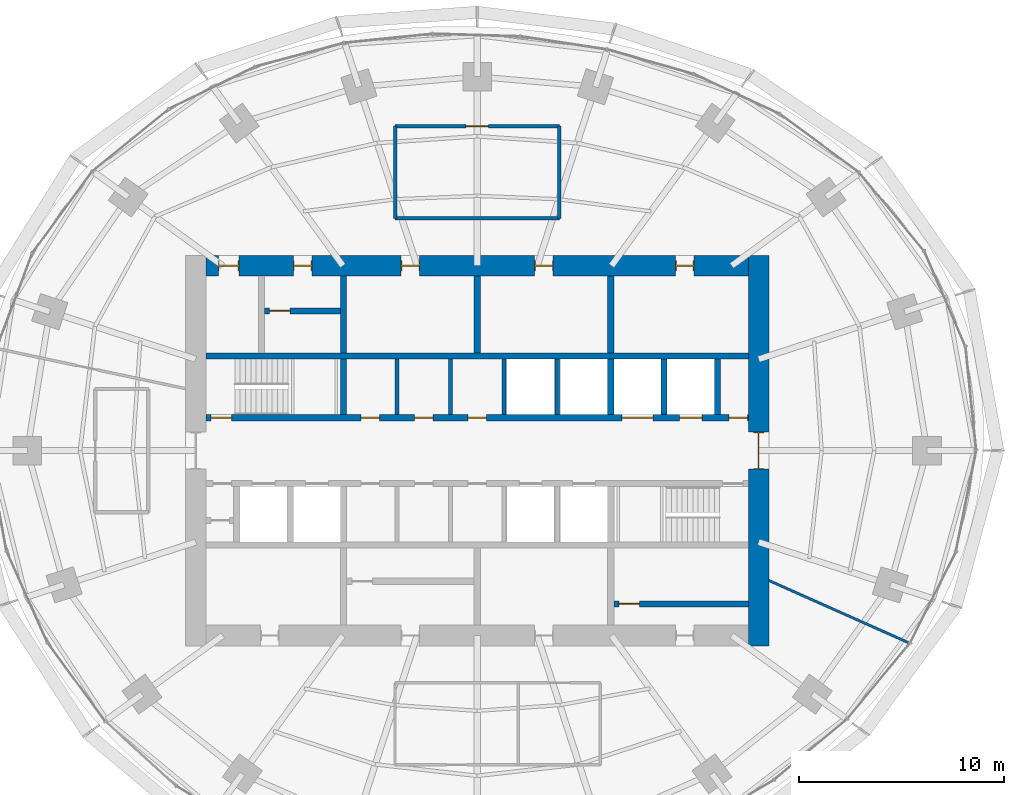
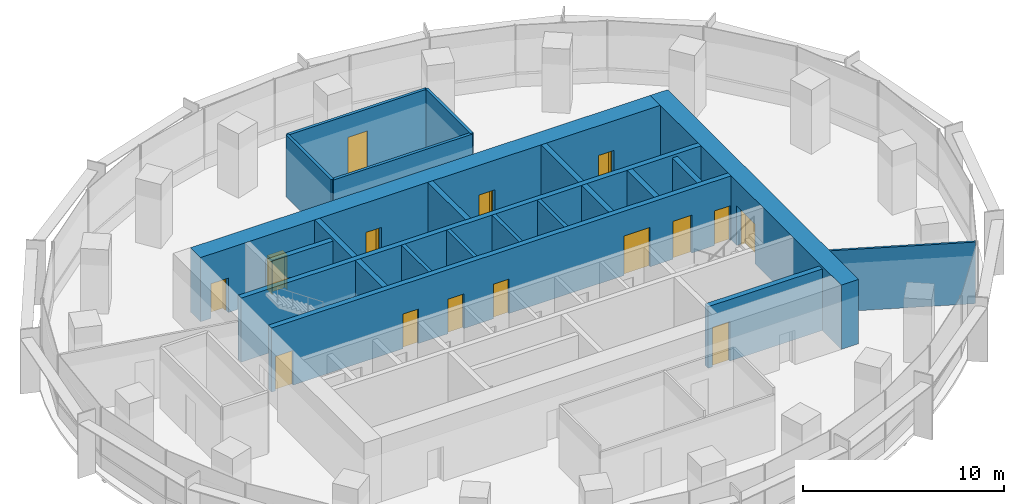
# One storey, part 11 of 14: 22 walls, 16 doors, 16 openings.
"""IFC4 building model written with IfcOpenShell, lengths in metres."""

from ifc_helpers import new_model, si_unit, direction, frame, frame_2d, origin, place, context, subcontext, project, spatial, rectangle, extrude, material, layer, layer_set, type_object, element, fill, save


model = new_model("IFC4")

# Units and contexts
model_context = context("Model", 3, precision=1e-05, world=origin(), true_north=direction((0.0, 1.0)))
body_context = subcontext(model_context, "Body", "Model", "MODEL_VIEW")
ifc_project = project(units=[si_unit("LENGTHUNIT", "METRE"), si_unit("AREAUNIT", "SQUARE_METRE"), si_unit("VOLUMEUNIT", "CUBIC_METRE"), si_unit("PLANEANGLEUNIT", "RADIAN"), si_unit("MASSUNIT", "GRAM", prefix="KILO")], contexts=[model_context])

# Site, building, storey
site_placement = place(None, origin())
site = spatial("IfcSite", under=ifc_project, at=site_placement, CompositionType="ELEMENT")
building_placement = place(site_placement, origin())
building = spatial("IfcBuilding", under=site, at=building_placement, Name="Marramba Exchange Tower", CompositionType="ELEMENT")
storey_placement = place(building_placement, frame((0.0, 0.0, 218.89990234375)))
storey = spatial("IfcBuildingStorey", under=building, at=storey_placement, Name="L53", CompositionType="ELEMENT", Elevation=218.89990234375)

# Wall
ifc_material_1 = material(Name="Plasterboard on staggered double steel studs, acoustic insulation", Category="steel")
ifc_layer_1 = layer(ifc_material_1, 0.169921875)
ifc_layer_set_1 = layer_set([ifc_layer_1], Name="Acoustic partition 170")
wall_type_1 = type_object("IfcWallType", Name="Acoustic partition 170", PredefinedType="PARTITIONING", material=ifc_layer_set_1)
wall_1_placement = place(storey_placement, frame((4.0, 15.800048828125, 0.0), z_axis=(0.0, 0.0, 1.0), x_axis=(0.0, -1.0, 0.0)))
element("IfcWall", 1, at=wall_1_placement, inside=storey, type_object=wall_type_1, Name="Acoustic partition L53 08", PredefinedType="PARTITIONING", context=body_context, shape_type="SweptSolid", body=[
    extrude(rectangle(XDim=4.5, YDim=0.169921875, at=frame_2d((2.25, 0.0))), origin(), (0.0, 0.0, 1.0), 3.739990234375),
])

# Wall, opening, door
wall_2_placement = place(storey_placement, frame((-4.0, 15.800048828125, 0.0), z_axis=(0.0, 0.0, 1.0), x_axis=(1.0, 0.0, 0.0)))
wall_2 = element("IfcWall", 2, at=wall_2_placement, inside=storey, type_object=wall_type_1, Name="Acoustic partition L53 09", PredefinedType="PARTITIONING", context=body_context, shape_type="SweptSolid", body=[
    extrude(rectangle(XDim=8.0, YDim=0.169921875, at=frame_2d((4.0, 0.0))), origin(), (0.0, 0.0, 1.0), 3.739990234375),
])
opening_1_placement = place(wall_2_placement, frame((3.449951171875, 0.0, 0.0)))
opening_1 = element("IfcOpeningElement", 3, at=opening_1_placement, cuts=wall_2, Name="Opening D15", PredefinedType="OPENING", context=body_context, shape_type="SweptSolid", body=[
    extrude(rectangle(XDim=1.10009765625, YDim=2.39990234375, at=frame_2d((0.550048828125, 1.199951171875))), frame((0.0, 0.094970703125, 0.0), z_axis=(0.0, -1.0, 0.0), x_axis=(1.0, 0.0, 0.0)), (0.0, 0.0, 1.0), 0.18994140625),
])
ifc_material_2 = material(Name="Timber door", Category="wood")
door_type_1 = type_object("IfcDoorType", Name="Glazed meeting room door 1100x2400", OperationType="SINGLE_SWING_LEFT", PredefinedType="DOOR", material=ifc_material_2)
door_1_placement = place(opening_1_placement, frame((1.10009765625, 0.0, 0.0), z_axis=(0.0, 0.0, 1.0), x_axis=(-1.0, 0.0, 0.0)))
door_1 = element("IfcDoor", 4, at=door_1_placement, inside=storey, type_object=door_type_1, Name="D15 Meeting Room L53", OperationType="SINGLE_SWING_RIGHT", OverallHeight=2.39990234375, OverallWidth=1.10009765625, PredefinedType="DOOR", context=body_context, shape_type="SweptSolid", body=[
    extrude(rectangle(XDim=1.10009765625, YDim=2.39990234375, at=frame_2d((0.550048828125, 1.199951171875))), frame((0.0, 0.025146484375, 0.0), z_axis=(0.0, -1.0, 0.0), x_axis=(1.0, 0.0, 0.0)), (0.0, 0.0, 1.0), 0.050048828125),
])
fill(opening_1, door_1)

# Walls
wall_3_placement = place(storey_placement, frame((4.0, 11.300048828125, 0.0), z_axis=(0.0, 0.0, 1.0), x_axis=(-1.0, 0.0, 0.0)))
element("IfcWall", 5, at=wall_3_placement, inside=storey, type_object=wall_type_1, Name="Acoustic partition L53 10", PredefinedType="PARTITIONING", context=body_context, shape_type="SweptSolid", body=[
    extrude(rectangle(XDim=8.0, YDim=0.169921875, at=frame_2d((4.0, 0.0))), origin(), (0.0, 0.0, 1.0), 3.739990234375),
])
wall_4_placement = place(storey_placement, frame((-4.0, 11.300048828125, 0.0), z_axis=(0.0, 0.0, 1.0), x_axis=(0.0, 1.0, 0.0)))
element("IfcWall", 6, at=wall_4_placement, inside=storey, type_object=wall_type_1, Name="Acoustic partition L53 11", PredefinedType="PARTITIONING", context=body_context, shape_type="SweptSolid", body=[
    extrude(rectangle(XDim=4.5, YDim=0.169921875, at=frame_2d((2.25, 0.0))), origin(), (0.0, 0.0, 1.0), 3.739990234375),
])
ifc_material_3 = material(Name="Concrete N50", Category="concrete")
ifc_layer_2 = layer(ifc_material_3, 0.199951171875)
ifc_layer_set_2 = layer_set([ifc_layer_2], Name="Core shaft wall 200")
wall_type_2 = type_object("IfcWallType", Name="Core shaft wall 200", PredefinedType="SHEAR", material=ifc_layer_set_2)
for number, where, z_axis, x_axis, name in (
    (7, (-3.89990234375, 1.75, 0.0), (0.0, 0.0, 1.0), (0.0, 1.0, 0.0), "Core wall SHN1 L53"),
    (8, (-1.300048828125, 1.75, 0.0), (0.0, 0.0, 1.0), (0.0, 1.0, 0.0), "Core wall SHN2 L53"),
    (9, (1.300048828125, 1.75, 0.0), (0.0, 0.0, 1.0), (0.0, 1.0, 0.0), "Core wall SHN3 L53"),
    (10, (3.89990234375, 1.75, 0.0), (0.0, 0.0, 1.0), (0.0, 1.0, 0.0), "Core wall SHN4 L53"),
):
    element("IfcWall", number, at=place(storey_placement, frame(where, z_axis=z_axis, x_axis=x_axis)), inside=storey, type_object=wall_type_2, Name=name, PredefinedType="SHEAR", context=body_context, shape_type="SweptSolid", body=[
        extrude(rectangle(XDim=2.699951171875, YDim=0.199951171875, at=frame_2d((1.35009765625, 0.0))), origin(), (0.0, 0.0, 1.0), 3.900146484375),
    ])

# Wall, openings, doors
ifc_layer_3 = layer(ifc_material_3, 1.0)
ifc_layer_set_3 = layer_set([ifc_layer_3], Name="Core wall 1000")
wall_type_3 = type_object("IfcWallType", Name="Core wall 1000", PredefinedType="SHEAR", material=ifc_layer_set_3)
wall_5_placement = place(storey_placement, frame((13.199951171875, 9.0, 0.0), z_axis=(0.0, 0.0, 1.0), x_axis=(-1.0, 0.0, 0.0)))
wall_5 = element("IfcWall", 11, at=wall_5_placement, inside=storey, type_object=wall_type_3, Name="Core wall N L53", PredefinedType="SHEAR", context=body_context, shape_type="SweptSolid", body=[
    extrude(rectangle(XDim=26.39990234375, YDim=1.0, at=frame_2d((13.199951171875, 0.0))), origin(), (0.0, 0.0, 1.0), 3.900146484375),
])
opening_2_placement = place(wall_5_placement, frame((2.64990234375, 0.0, 0.0)))
opening_2 = element("IfcOpeningElement", 12, at=opening_2_placement, cuts=wall_5, Name="Opening D5", PredefinedType="OPENING", context=body_context, shape_type="SweptSolid", body=[
    extrude(rectangle(XDim=0.89990234375, YDim=2.10009765625, at=frame_2d((0.449951171875, 1.050048828125))), frame((0.0, 0.510009765625, 0.0), z_axis=(0.0, -1.0, 0.0), x_axis=(1.0, 0.0, 0.0)), (0.0, 0.0, 1.0), 1.02001953125),
])
opening_3_placement = place(wall_5_placement, frame((9.5, 0.0, 0.0)))
opening_3 = element("IfcOpeningElement", 13, at=opening_3_placement, cuts=wall_5, Name="Opening D3", PredefinedType="OPENING", context=body_context, shape_type="SweptSolid", body=[
    extrude(rectangle(XDim=0.89990234375, YDim=2.10009765625, at=frame_2d((0.449951171875, 1.050048828125))), frame((0.0, 0.510009765625, 0.0), z_axis=(0.0, -1.0, 0.0), x_axis=(1.0, 0.0, 0.0)), (0.0, 0.0, 1.0), 1.02001953125),
])
opening_4_placement = place(wall_5_placement, frame((16.0, 0.0, 0.0)))
opening_4 = element("IfcOpeningElement", 14, at=opening_4_placement, cuts=wall_5, Name="Opening D3", PredefinedType="OPENING", context=body_context, shape_type="SweptSolid", body=[
    extrude(rectangle(XDim=0.89990234375, YDim=2.10009765625, at=frame_2d((0.449951171875, 1.050048828125))), frame((0.0, 0.510009765625, 0.0), z_axis=(0.0, -1.0, 0.0), x_axis=(1.0, 0.0, 0.0)), (0.0, 0.0, 1.0), 1.02001953125),
])
opening_5_placement = place(wall_5_placement, frame((21.25, 0.0, 0.0)))
opening_5 = element("IfcOpeningElement", 15, at=opening_5_placement, cuts=wall_5, Name="Opening D5", PredefinedType="OPENING", context=body_context, shape_type="SweptSolid", body=[
    extrude(rectangle(XDim=0.89990234375, YDim=2.10009765625, at=frame_2d((0.449951171875, 1.050048828125))), frame((0.0, 0.510009765625, 0.0), z_axis=(0.0, -1.0, 0.0), x_axis=(1.0, 0.0, 0.0)), (0.0, 0.0, 1.0), 1.02001953125),
])
opening_6_placement = place(wall_5_placement, frame((24.800048828125, 0.0, 0.0)))
opening_6 = element("IfcOpeningElement", 16, at=opening_6_placement, cuts=wall_5, Name="Opening D4", PredefinedType="OPENING", context=body_context, shape_type="SweptSolid", body=[
    extrude(rectangle(XDim=1.0, YDim=2.10009765625, at=frame_2d((0.5, 1.050048828125))), frame((0.0, 0.510009765625, 0.0), z_axis=(0.0, -1.0, 0.0), x_axis=(1.0, 0.0, 0.0)), (0.0, 0.0, 1.0), 1.02001953125),
])
ifc_material_4 = material(Name="Steel-framed door", Category="steel")
door_type_2 = type_object("IfcDoorType", Name="Accessible toilet door 1000x2100", OperationType="SINGLE_SWING_LEFT", PredefinedType="DOOR", material=ifc_material_4)
door_2_placement = place(opening_6_placement, origin())
door_2 = element("IfcDoor", 17, at=door_2_placement, inside=storey, type_object=door_type_2, Name="D4 awc L53", OperationType="SINGLE_SWING_RIGHT", OverallHeight=2.10009765625, OverallWidth=1.0, PredefinedType="DOOR", context=body_context, shape_type="SweptSolid", body=[
    extrude(rectangle(XDim=0.919921875, YDim=2.06005859375, at=frame_2d((0.5, 1.030029296875))), frame((0.0, 0.02490234375, 0.0), z_axis=(0.0, -1.0, 0.0), x_axis=(1.0, 0.0, 0.0)), (0.0, 0.0, 1.0), 0.050048828125),
    extrude(rectangle(XDim=0.04, YDim=2.10009765625, at=frame_2d((0.02001953125, 1.050048828125))), frame((0.0, 0.25, 0.0), z_axis=(0.0, -1.0, 0.0), x_axis=(1.0, 0.0, 0.0)), (0.0, 0.0, 1.0), 0.5),
    extrude(rectangle(XDim=0.04, YDim=2.10009765625, at=frame_2d((0.97998046875, 1.050048828125))), frame((0.0, 0.25, 0.0), z_axis=(0.0, -1.0, 0.0), x_axis=(1.0, 0.0, 0.0)), (0.0, 0.0, 1.0), 0.5),
    extrude(rectangle(XDim=0.919921875, YDim=0.04, at=frame_2d((0.5, 2.080078125))), frame((0.0, 0.25, 0.0), z_axis=(0.0, -1.0, 0.0), x_axis=(1.0, 0.0, 0.0)), (0.0, 0.0, 1.0), 0.5),
])
fill(opening_6, door_2)
door_type_3 = type_object("IfcDoorType", Name="Service door 900x2100", OperationType="SINGLE_SWING_LEFT", PredefinedType="DOOR", material=ifc_material_4)
door_3_placement = place(opening_2_placement, origin())
door_3 = element("IfcDoor", 18, at=door_3_placement, inside=storey, type_object=door_type_3, Name="D5 comms L53", OperationType="SINGLE_SWING_LEFT", OverallHeight=2.10009765625, OverallWidth=0.89990234375, PredefinedType="DOOR", context=body_context, shape_type="SweptSolid", body=[
    extrude(rectangle(XDim=0.81982421875, YDim=2.06005859375, at=frame_2d((0.449951171875, 1.030029296875))), frame((0.0, 0.02490234375, 0.0), z_axis=(0.0, -1.0, 0.0), x_axis=(1.0, 0.0, 0.0)), (0.0, 0.0, 1.0), 0.050048828125),
    extrude(rectangle(XDim=0.04, YDim=2.10009765625, at=frame_2d((0.02001953125, 1.050048828125))), frame((0.0, 0.25, 0.0), z_axis=(0.0, -1.0, 0.0), x_axis=(1.0, 0.0, 0.0)), (0.0, 0.0, 1.0), 0.5),
    extrude(rectangle(XDim=0.04, YDim=2.10009765625, at=frame_2d((0.8798828125, 1.050048828125))), frame((0.0, 0.25, 0.0), z_axis=(0.0, -1.0, 0.0), x_axis=(1.0, 0.0, 0.0)), (0.0, 0.0, 1.0), 0.5),
    extrude(rectangle(XDim=0.81982421875, YDim=0.04, at=frame_2d((0.449951171875, 2.080078125))), frame((0.0, 0.25, 0.0), z_axis=(0.0, -1.0, 0.0), x_axis=(1.0, 0.0, 0.0)), (0.0, 0.0, 1.0), 0.5),
])
fill(opening_2, door_3)
door_4_placement = place(opening_5_placement, origin())
door_4 = element("IfcDoor", 19, at=door_4_placement, inside=storey, type_object=door_type_3, Name="D5 cleaner L53", OperationType="SINGLE_SWING_RIGHT", OverallHeight=2.10009765625, OverallWidth=0.89990234375, PredefinedType="DOOR", context=body_context, shape_type="SweptSolid", body=[
    extrude(rectangle(XDim=0.81982421875, YDim=2.06005859375, at=frame_2d((0.449951171875, 1.030029296875))), frame((0.0, 0.02490234375, 0.0), z_axis=(0.0, -1.0, 0.0), x_axis=(1.0, 0.0, 0.0)), (0.0, 0.0, 1.0), 0.050048828125),
    extrude(rectangle(XDim=0.04, YDim=2.10009765625, at=frame_2d((0.02001953125, 1.050048828125))), frame((0.0, 0.25, 0.0), z_axis=(0.0, -1.0, 0.0), x_axis=(1.0, 0.0, 0.0)), (0.0, 0.0, 1.0), 0.5),
    extrude(rectangle(XDim=0.04, YDim=2.10009765625, at=frame_2d((0.8798828125, 1.050048828125))), frame((0.0, 0.25, 0.0), z_axis=(0.0, -1.0, 0.0), x_axis=(1.0, 0.0, 0.0)), (0.0, 0.0, 1.0), 0.5),
    extrude(rectangle(XDim=0.81982421875, YDim=0.04, at=frame_2d((0.449951171875, 2.080078125))), frame((0.0, 0.25, 0.0), z_axis=(0.0, -1.0, 0.0), x_axis=(1.0, 0.0, 0.0)), (0.0, 0.0, 1.0), 0.5),
])
fill(opening_5, door_4)
door_type_4 = type_object("IfcDoorType", Name="Toilet door 900x2100", OperationType="SINGLE_SWING_LEFT", PredefinedType="DOOR", material=ifc_material_4)
door_5_placement = place(opening_3_placement, origin())
door_5 = element("IfcDoor", 20, at=door_5_placement, inside=storey, type_object=door_type_4, Name="D3 wc-f L53", OperationType="SINGLE_SWING_RIGHT", OverallHeight=2.10009765625, OverallWidth=0.89990234375, PredefinedType="DOOR", context=body_context, shape_type="SweptSolid", body=[
    extrude(rectangle(XDim=0.81982421875, YDim=2.06005859375, at=frame_2d((0.449951171875, 1.030029296875))), frame((0.0, 0.02490234375, 0.0), z_axis=(0.0, -1.0, 0.0), x_axis=(1.0, 0.0, 0.0)), (0.0, 0.0, 1.0), 0.050048828125),
    extrude(rectangle(XDim=0.04, YDim=2.10009765625, at=frame_2d((0.02001953125, 1.050048828125))), frame((0.0, 0.25, 0.0), z_axis=(0.0, -1.0, 0.0), x_axis=(1.0, 0.0, 0.0)), (0.0, 0.0, 1.0), 0.5),
    extrude(rectangle(XDim=0.04, YDim=2.10009765625, at=frame_2d((0.8798828125, 1.050048828125))), frame((0.0, 0.25, 0.0), z_axis=(0.0, -1.0, 0.0), x_axis=(1.0, 0.0, 0.0)), (0.0, 0.0, 1.0), 0.5),
    extrude(rectangle(XDim=0.81982421875, YDim=0.04, at=frame_2d((0.449951171875, 2.080078125))), frame((0.0, 0.25, 0.0), z_axis=(0.0, -1.0, 0.0), x_axis=(1.0, 0.0, 0.0)), (0.0, 0.0, 1.0), 0.5),
])
fill(opening_3, door_5)
door_6_placement = place(opening_4_placement, origin())
door_6 = element("IfcDoor", 21, at=door_6_placement, inside=storey, type_object=door_type_4, Name="D3 wc-m L53", OperationType="SINGLE_SWING_RIGHT", OverallHeight=2.10009765625, OverallWidth=0.89990234375, PredefinedType="DOOR", context=body_context, shape_type="SweptSolid", body=[
    extrude(rectangle(XDim=0.81982421875, YDim=2.06005859375, at=frame_2d((0.449951171875, 1.030029296875))), frame((0.0, 0.02490234375, 0.0), z_axis=(0.0, -1.0, 0.0), x_axis=(1.0, 0.0, 0.0)), (0.0, 0.0, 1.0), 0.050048828125),
    extrude(rectangle(XDim=0.04, YDim=2.10009765625, at=frame_2d((0.02001953125, 1.050048828125))), frame((0.0, 0.25, 0.0), z_axis=(0.0, -1.0, 0.0), x_axis=(1.0, 0.0, 0.0)), (0.0, 0.0, 1.0), 0.5),
    extrude(rectangle(XDim=0.04, YDim=2.10009765625, at=frame_2d((0.8798828125, 1.050048828125))), frame((0.0, 0.25, 0.0), z_axis=(0.0, -1.0, 0.0), x_axis=(1.0, 0.0, 0.0)), (0.0, 0.0, 1.0), 0.5),
    extrude(rectangle(XDim=0.81982421875, YDim=0.04, at=frame_2d((0.449951171875, 2.080078125))), frame((0.0, 0.25, 0.0), z_axis=(0.0, -1.0, 0.0), x_axis=(1.0, 0.0, 0.0)), (0.0, 0.0, 1.0), 0.5),
])
fill(opening_4, door_6)

# Wall, opening, door
wall_6_placement = place(storey_placement, frame((13.699951171875, -9.5, 0.0), z_axis=(0.0, 0.0, 1.0), x_axis=(0.0, 1.0, 0.0)))
wall_6 = element("IfcWall", 22, at=wall_6_placement, inside=storey, type_object=wall_type_3, Name="Core wall E L53", PredefinedType="SHEAR", context=body_context, shape_type="SweptSolid", body=[
    extrude(rectangle(XDim=19.0, YDim=1.0, at=frame_2d((9.5, 0.0))), origin(), (0.0, 0.0, 1.0), 3.900146484375),
])
opening_7_placement = place(wall_6_placement, frame((8.60009765625, 0.0, 0.0)))
opening_7 = element("IfcOpeningElement", 23, at=opening_7_placement, cuts=wall_6, Name="Opening D1", PredefinedType="OPENING", context=body_context, shape_type="SweptSolid", body=[
    extrude(rectangle(XDim=1.800048828125, YDim=2.39990234375, at=frame_2d((0.89990234375, 1.199951171875))), frame((0.0, 0.510009765625, 0.0), z_axis=(0.0, -1.0, 0.0), x_axis=(1.0, 0.0, 0.0)), (0.0, 0.0, 1.0), 1.02001953125),
])
door_type_5 = type_object("IfcDoorType", Name="Lobby exit door 1800x2400", OperationType="DOUBLE_DOOR_SINGLE_SWING", PredefinedType="DOOR", material=ifc_material_4)
door_7_placement = place(opening_7_placement, origin())
door_7 = element("IfcDoor", 24, at=door_7_placement, inside=storey, type_object=door_type_5, Name="D1 lobby exit east L53", OperationType="DOUBLE_DOOR_SINGLE_SWING", OverallHeight=2.39990234375, OverallWidth=1.800048828125, PredefinedType="DOOR", context=body_context, shape_type="SweptSolid", body=[
    extrude(rectangle(XDim=1.719970703125, YDim=2.35986328125, at=frame_2d((0.89990234375, 1.179931640625))), frame((0.0, 0.02490234375, 0.0), z_axis=(0.0, -1.0, 0.0), x_axis=(1.0, 0.0, 0.0)), (0.0, 0.0, 1.0), 0.050048828125),
    extrude(rectangle(XDim=0.04, YDim=2.39990234375, at=frame_2d((0.02001953125, 1.199951171875))), frame((0.0, 0.25, 0.0), z_axis=(0.0, -1.0, 0.0), x_axis=(1.0, 0.0, 0.0)), (0.0, 0.0, 1.0), 0.5),
    extrude(rectangle(XDim=0.04, YDim=2.39990234375, at=frame_2d((1.780029296875, 1.199951171875))), frame((0.0, 0.25, 0.0), z_axis=(0.0, -1.0, 0.0), x_axis=(1.0, 0.0, 0.0)), (0.0, 0.0, 1.0), 0.5),
    extrude(rectangle(XDim=1.719970703125, YDim=0.04, at=frame_2d((0.89990234375, 2.3798828125))), frame((0.0, 0.25, 0.0), z_axis=(0.0, -1.0, 0.0), x_axis=(1.0, 0.0, 0.0)), (0.0, 0.0, 1.0), 0.5),
])
fill(opening_7, door_7)

# Wall, openings, doors
ifc_layer_4 = layer(ifc_material_3, 0.300048828125)
ifc_layer_set_4 = layer_set([ifc_layer_4], Name="Core wall 300")
wall_type_4 = type_object("IfcWallType", Name="Core wall 300", PredefinedType="SHEAR", material=ifc_layer_set_4)
wall_7_placement = place(storey_placement, frame((-13.199951171875, 1.60009765625, 0.0), z_axis=(0.0, 0.0, 1.0), x_axis=(1.0, 0.0, 0.0)))
wall_7 = element("IfcWall", 25, at=wall_7_placement, inside=storey, type_object=wall_type_4, Name="Core wall LN L53", PredefinedType="SHEAR", context=body_context, shape_type="SweptSolid", body=[
    extrude(rectangle(XDim=26.39990234375, YDim=0.300048828125, at=frame_2d((13.199951171875, 0.0))), origin(), (0.0, 0.0, 1.0), 3.900146484375),
])
opening_8_placement = place(wall_7_placement, frame((0.25, 0.0, 0.0)))
opening_8 = element("IfcOpeningElement", 26, at=opening_8_placement, cuts=wall_7, Name="Opening D2", PredefinedType="OPENING", context=body_context, shape_type="SweptSolid", body=[
    extrude(rectangle(XDim=1.0, YDim=2.10009765625, at=frame_2d((0.5, 1.050048828125))), frame((0.0, 0.159912109375, 0.0), z_axis=(0.0, -1.0, 0.0), x_axis=(1.0, 0.0, 0.0)), (0.0, 0.0, 1.0), 0.320068359375),
])
opening_9_placement = place(wall_7_placement, frame((23.050048828125, 0.0, 0.0)))
opening_9 = element("IfcOpeningElement", 27, at=opening_9_placement, cuts=wall_7, Name="Opening LD1", PredefinedType="OPENING", context=body_context, shape_type="SweptSolid", body=[
    extrude(rectangle(XDim=1.10009765625, YDim=2.300048828125, at=frame_2d((0.550048828125, 1.14990234375))), frame((0.0, 0.159912109375, 0.0), z_axis=(0.0, -1.0, 0.0), x_axis=(1.0, 0.0, 0.0)), (0.0, 0.0, 1.0), 0.320068359375),
])
opening_10_placement = place(wall_7_placement, frame((20.25, 0.0, 0.0)))
opening_10 = element("IfcOpeningElement", 28, at=opening_10_placement, cuts=wall_7, Name="Opening LD3", PredefinedType="OPENING", context=body_context, shape_type="SweptSolid", body=[
    extrude(rectangle(XDim=1.5, YDim=2.39990234375, at=frame_2d((0.75, 1.199951171875))), frame((0.0, 0.159912109375, 0.0), z_axis=(0.0, -1.0, 0.0), x_axis=(1.0, 0.0, 0.0)), (0.0, 0.0, 1.0), 0.320068359375),
])
opening_11_placement = place(wall_7_placement, frame((7.550048828125, 0.0, 0.0)))
opening_11 = element("IfcOpeningElement", 29, at=opening_11_placement, cuts=wall_7, Name="Opening D5", PredefinedType="OPENING", context=body_context, shape_type="SweptSolid", body=[
    extrude(rectangle(XDim=0.89990234375, YDim=2.10009765625, at=frame_2d((0.449951171875, 1.050048828125))), frame((0.0, 0.159912109375, 0.0), z_axis=(0.0, -1.0, 0.0), x_axis=(1.0, 0.0, 0.0)), (0.0, 0.0, 1.0), 0.320068359375),
])
opening_12_placement = place(wall_7_placement, frame((10.14990234375, 0.0, 0.0)))
opening_12 = element("IfcOpeningElement", 30, at=opening_12_placement, cuts=wall_7, Name="Opening D5", PredefinedType="OPENING", context=body_context, shape_type="SweptSolid", body=[
    extrude(rectangle(XDim=0.89990234375, YDim=2.10009765625, at=frame_2d((0.449951171875, 1.050048828125))), frame((0.0, 0.159912109375, 0.0), z_axis=(0.0, -1.0, 0.0), x_axis=(1.0, 0.0, 0.0)), (0.0, 0.0, 1.0), 0.320068359375),
])
opening_13_placement = place(wall_7_placement, frame((12.75, 0.0, 0.0)))
opening_13 = element("IfcOpeningElement", 31, at=opening_13_placement, cuts=wall_7, Name="Opening D5", PredefinedType="OPENING", context=body_context, shape_type="SweptSolid", body=[
    extrude(rectangle(XDim=0.89990234375, YDim=2.10009765625, at=frame_2d((0.449951171875, 1.050048828125))), frame((0.0, 0.159912109375, 0.0), z_axis=(0.0, -1.0, 0.0), x_axis=(1.0, 0.0, 0.0)), (0.0, 0.0, 1.0), 0.320068359375),
])
opening_14_placement = place(wall_7_placement, frame((25.449951171875, 0.0, 0.0)))
opening_14 = element("IfcOpeningElement", 32, at=opening_14_placement, cuts=wall_7, Name="Opening D5", PredefinedType="OPENING", context=body_context, shape_type="SweptSolid", body=[
    extrude(rectangle(XDim=0.89990234375, YDim=2.10009765625, at=frame_2d((0.449951171875, 1.050048828125))), frame((0.0, 0.159912109375, 0.0), z_axis=(0.0, -1.0, 0.0), x_axis=(1.0, 0.0, 0.0)), (0.0, 0.0, 1.0), 0.320068359375),
])
door_type_6 = type_object("IfcDoorType", Name="Goods lift landing door 1500x2400", OperationType="SLIDING_TO_LEFT", PredefinedType="DOOR", material=ifc_material_4)
door_8_placement = place(opening_10_placement, origin())
door_8 = element("IfcDoor", 33, at=door_8_placement, inside=storey, type_object=door_type_6, Name="GL1 landing door L53", OperationType="SLIDING_TO_LEFT", OverallHeight=2.39990234375, OverallWidth=1.5, PredefinedType="DOOR", context=body_context, shape_type="SweptSolid", body=[
    extrude(rectangle(XDim=1.5, YDim=2.39990234375, at=frame_2d((0.75, 1.199951171875))), frame((0.0, 0.02490234375, 0.0), z_axis=(0.0, -1.0, 0.0), x_axis=(1.0, 0.0, 0.0)), (0.0, 0.0, 1.0), 0.050048828125),
])
fill(opening_10, door_8)
door_type_7 = type_object("IfcDoorType", Name="Lift landing door 1100x2300", OperationType="SLIDING_TO_LEFT", PredefinedType="DOOR", material=ifc_material_4)
door_9_placement = place(opening_9_placement, origin())
door_9 = element("IfcDoor", 34, at=door_9_placement, inside=storey, type_object=door_type_7, Name="LC3 landing door L53", OperationType="SLIDING_TO_LEFT", OverallHeight=2.300048828125, OverallWidth=1.10009765625, PredefinedType="DOOR", context=body_context, shape_type="SweptSolid", body=[
    extrude(rectangle(XDim=1.10009765625, YDim=2.300048828125, at=frame_2d((0.550048828125, 1.14990234375))), frame((0.0, 0.02490234375, 0.0), z_axis=(0.0, -1.0, 0.0), x_axis=(1.0, 0.0, 0.0)), (0.0, 0.0, 1.0), 0.050048828125),
])
fill(opening_9, door_9)
door_10_placement = place(opening_11_placement, origin())
door_10 = element("IfcDoor", 35, at=door_10_placement, inside=storey, type_object=door_type_3, Name="D5 stationery store L53", OperationType="SINGLE_SWING_RIGHT", OverallHeight=2.10009765625, OverallWidth=0.89990234375, PredefinedType="DOOR", context=body_context, shape_type="SweptSolid", body=[
    extrude(rectangle(XDim=0.89990234375, YDim=2.10009765625, at=frame_2d((0.449951171875, 1.050048828125))), frame((0.0, 0.02490234375, 0.0), z_axis=(0.0, -1.0, 0.0), x_axis=(1.0, 0.0, 0.0)), (0.0, 0.0, 1.0), 0.050048828125),
])
fill(opening_11, door_10)
door_11_placement = place(opening_12_placement, origin())
door_11 = element("IfcDoor", 36, at=door_11_placement, inside=storey, type_object=door_type_3, Name="D5 switch room L53", OperationType="SINGLE_SWING_RIGHT", OverallHeight=2.10009765625, OverallWidth=0.89990234375, PredefinedType="DOOR", context=body_context, shape_type="SweptSolid", body=[
    extrude(rectangle(XDim=0.89990234375, YDim=2.10009765625, at=frame_2d((0.449951171875, 1.050048828125))), frame((0.0, 0.02490234375, 0.0), z_axis=(0.0, -1.0, 0.0), x_axis=(1.0, 0.0, 0.0)), (0.0, 0.0, 1.0), 0.050048828125),
])
fill(opening_12, door_11)
door_12_placement = place(opening_13_placement, origin())
door_12 = element("IfcDoor", 37, at=door_12_placement, inside=storey, type_object=door_type_3, Name="D5 tea point L53", OperationType="SINGLE_SWING_RIGHT", OverallHeight=2.10009765625, OverallWidth=0.89990234375, PredefinedType="DOOR", context=body_context, shape_type="SweptSolid", body=[
    extrude(rectangle(XDim=0.89990234375, YDim=2.10009765625, at=frame_2d((0.449951171875, 1.050048828125))), frame((0.0, 0.02490234375, 0.0), z_axis=(0.0, -1.0, 0.0), x_axis=(1.0, 0.0, 0.0)), (0.0, 0.0, 1.0), 0.050048828125),
])
fill(opening_13, door_12)
door_13_placement = place(opening_14_placement, origin())
door_13 = element("IfcDoor", 38, at=door_13_placement, inside=storey, type_object=door_type_3, Name="D5 riser L53", OperationType="SINGLE_SWING_RIGHT", OverallHeight=2.10009765625, OverallWidth=0.89990234375, PredefinedType="DOOR", context=body_context, shape_type="SweptSolid", body=[
    extrude(rectangle(XDim=0.89990234375, YDim=2.10009765625, at=frame_2d((0.449951171875, 1.050048828125))), frame((0.0, 0.02490234375, 0.0), z_axis=(0.0, -1.0, 0.0), x_axis=(1.0, 0.0, 0.0)), (0.0, 0.0, 1.0), 0.050048828125),
])
fill(opening_14, door_13)
door_type_8 = type_object("IfcDoorType", Name="Stair door 1000x2100", OperationType="SINGLE_SWING_LEFT", PredefinedType="DOOR", material=ifc_material_4)
door_14_placement = place(opening_8_placement, origin())
door_14 = element("IfcDoor", 39, at=door_14_placement, inside=storey, type_object=door_type_8, Name="D2 stair ST1 L53", OperationType="SINGLE_SWING_LEFT", OverallHeight=2.10009765625, OverallWidth=1.0, PredefinedType="DOOR", context=body_context, shape_type="SweptSolid", body=[
    extrude(rectangle(XDim=1.0, YDim=2.10009765625, at=frame_2d((0.5, 1.050048828125))), frame((0.0, 0.02490234375, 0.0), z_axis=(0.0, -1.0, 0.0), x_axis=(1.0, 0.0, 0.0)), (0.0, 0.0, 1.0), 0.050048828125),
])
fill(opening_8, door_14)

# Walls
wall_8_placement = place(storey_placement, frame((-13.199951171875, 4.60009765625, 0.0), z_axis=(0.0, 0.0, 1.0), x_axis=(1.0, 0.0, 0.0)))
element("IfcWall", 40, at=wall_8_placement, inside=storey, type_object=wall_type_4, Name="Core wall BN L53", PredefinedType="SHEAR", context=body_context, shape_type="SweptSolid", body=[
    extrude(rectangle(XDim=26.39990234375, YDim=0.300048828125, at=frame_2d((13.199951171875, 0.0))), origin(), (0.0, 0.0, 1.0), 3.900146484375),
])
wall_9_placement = place(storey_placement, frame((-6.5, 1.75, 0.0), z_axis=(0.0, 0.0, 1.0), x_axis=(0.0, 1.0, 0.0)))
element("IfcWall", 41, at=wall_9_placement, inside=storey, type_object=wall_type_4, Name="Core wall X0Na L53", PredefinedType="SHEAR", context=body_context, shape_type="SweptSolid", body=[
    extrude(rectangle(XDim=2.699951171875, YDim=0.300048828125, at=frame_2d((1.35009765625, 0.0))), origin(), (0.0, 0.0, 1.0), 3.900146484375),
])
wall_10_placement = place(storey_placement, frame((-6.5, 4.75, 0.0), z_axis=(0.0, 0.0, 1.0), x_axis=(0.0, 1.0, 0.0)))
element("IfcWall", 42, at=wall_10_placement, inside=storey, type_object=wall_type_4, Name="Core wall X0Nb L53", PredefinedType="SHEAR", context=body_context, shape_type="SweptSolid", body=[
    extrude(rectangle(XDim=3.75, YDim=0.300048828125, at=frame_2d((1.875, 0.0))), origin(), (0.0, 0.0, 1.0), 3.900146484375),
])
wall_11_placement = place(storey_placement, frame((6.5, 1.75, 0.0), z_axis=(0.0, 0.0, 1.0), x_axis=(0.0, 1.0, 0.0)))
element("IfcWall", 43, at=wall_11_placement, inside=storey, type_object=wall_type_4, Name="Core wall X1Na L53", PredefinedType="SHEAR", context=body_context, shape_type="SweptSolid", body=[
    extrude(rectangle(XDim=2.699951171875, YDim=0.300048828125, at=frame_2d((1.35009765625, 0.0))), origin(), (0.0, 0.0, 1.0), 3.900146484375),
])
for number, where, z_axis, x_axis, name in (
    (44, (6.5, 4.75, 0.0), (0.0, 0.0, 1.0), (0.0, 1.0, 0.0), "Core wall X1Nb L53"),
    (45, (0.0, 4.75, 0.0), (0.0, 0.0, 1.0), (0.0, 1.0, 0.0), "Core wall MN L53"),
):
    element("IfcWall", number, at=place(storey_placement, frame(where, z_axis=z_axis, x_axis=x_axis)), inside=storey, type_object=wall_type_4, Name=name, PredefinedType="SHEAR", context=body_context, shape_type="SweptSolid", body=[
        extrude(rectangle(XDim=3.75, YDim=0.300048828125, at=frame_2d((1.875, 0.0))), origin(), (0.0, 0.0, 1.0), 3.900146484375),
    ])
wall_12_placement = place(storey_placement, frame((9.10009765625, 1.75, 0.0), z_axis=(0.0, 0.0, 1.0), x_axis=(0.0, 1.0, 0.0)))
element("IfcWall", 46, at=wall_12_placement, inside=storey, type_object=wall_type_4, Name="Core wall ED L53", PredefinedType="SHEAR", context=body_context, shape_type="SweptSolid", body=[
    extrude(rectangle(XDim=2.699951171875, YDim=0.300048828125, at=frame_2d((1.35009765625, 0.0))), origin(), (0.0, 0.0, 1.0), 3.900146484375),
])
ifc_material_5 = material(Name="Core-filled concrete blockwork", Category="masonry")
ifc_layer_5 = layer(ifc_material_5, 0.300048828125)
ifc_layer_set_5 = layer_set([ifc_layer_5], Name="Lift shaft wall 300")
wall_type_5 = type_object("IfcWallType", Name="Lift shaft wall 300", PredefinedType="SOLIDWALL", material=ifc_layer_set_5)
wall_13_placement = place(storey_placement, frame((11.699951171875, 1.75, 0.0), z_axis=(0.0, 0.0, 1.0), x_axis=(0.0, 1.0, 0.0)))
element("IfcWall", 47, at=wall_13_placement, inside=storey, type_object=wall_type_5, Name="Lift shaft wall E1 L53", PredefinedType="SOLIDWALL", context=body_context, shape_type="SweptSolid", body=[
    extrude(rectangle(XDim=2.699951171875, YDim=0.300048828125, at=frame_2d((1.35009765625, 0.0))), origin(), (0.0, 0.0, 1.0), 3.739990234375),
])
ifc_material_6 = material(Name="Plasterboard on steel studs", Category="steel")
ifc_layer_6 = layer(ifc_material_6, 0.1201171875)
ifc_layer_set_6 = layer_set([ifc_layer_6], Name="Partition 120")
wall_type_6 = type_object("IfcWallType", Name="Partition 120", PredefinedType="PARTITIONING", material=ifc_layer_set_6)
wall_14_placement = place(storey_placement, frame((20.989013671875, -9.344970703125, 0.0), z_axis=(0.0, 0.0, 1.0), x_axis=(-0.913544472316, 0.406738856147, 0.0)))
element("IfcWall", 48, at=wall_14_placement, inside=storey, type_object=wall_type_6, Name="Partition L53 07", PredefinedType="PARTITIONING", context=body_context, shape_type="SweptSolid", body=[
    extrude(rectangle(XDim=7.431640625, YDim=0.1201171875, at=frame_2d((3.7158203125, 0.0))), origin(), (0.0, 0.0, 1.0), 3.739990234375),
])

# Wall, opening, door
ifc_material_7 = material(Name="Plasterboard on steel studs, insulated, unrated", Category="steel")
ifc_layer_7 = layer(ifc_material_7, 0.300048828125)
ifc_layer_set_7 = layer_set([ifc_layer_7], Name="Store partition 300")
wall_type_7 = type_object("IfcWallType", Name="Store partition 300", PredefinedType="PARTITIONING", material=ifc_layer_set_7)
wall_15_placement = place(storey_placement, frame((-10.35009765625, 6.800048828125, 0.0), z_axis=(0.0, 0.0, 1.0), x_axis=(1.0, 0.0, 0.0)))
wall_15 = element("IfcWall", 49, at=wall_15_placement, inside=storey, type_object=wall_type_7, Name="Store partition L53 cleaner", PredefinedType="PARTITIONING", context=body_context, shape_type="SweptSolid", body=[
    extrude(rectangle(XDim=3.7001953125, YDim=0.300048828125, at=frame_2d((1.85009765625, 0.0))), origin(), (0.0, 0.0, 1.0), 3.739990234375),
])
opening_15_placement = place(wall_15_placement, frame((0.25, 0.0, 0.0)))
opening_15 = element("IfcOpeningElement", 50, at=opening_15_placement, cuts=wall_15, Name="Opening D9", PredefinedType="OPENING", context=body_context, shape_type="SweptSolid", body=[
    extrude(rectangle(XDim=1.0, YDim=2.39990234375, at=frame_2d((0.5, 1.199951171875))), frame((0.0, 0.159912109375, 0.0), z_axis=(0.0, -1.0, 0.0), x_axis=(1.0, 0.0, 0.0)), (0.0, 0.0, 1.0), 0.320068359375),
])
door_type_9 = type_object("IfcDoorType", Name="Room door 1000x2400", OperationType="SINGLE_SWING_LEFT", PredefinedType="DOOR", material=ifc_material_2)
door_15_placement = place(opening_15_placement, origin())
door_15 = element("IfcDoor", 51, at=door_15_placement, inside=storey, type_object=door_type_9, Name="D9 cleaning store L53", OperationType="SINGLE_SWING_LEFT", OverallHeight=2.39990234375, OverallWidth=1.0, PredefinedType="DOOR", context=body_context, shape_type="SweptSolid", body=[
    extrude(rectangle(XDim=1.0, YDim=2.39990234375, at=frame_2d((0.5, 1.199951171875))), frame((0.0, 0.02490234375, 0.0), z_axis=(0.0, -1.0, 0.0), x_axis=(1.0, 0.0, 0.0)), (0.0, 0.0, 1.0), 0.050048828125),
])
fill(opening_15, door_15)

wall_16_placement = place(storey_placement, frame((6.64990234375, -7.4599609375, 0.0), z_axis=(0.0, 0.0, 1.0), x_axis=(1.0, 0.0, 0.0)))
wall_16 = element("IfcWall", 52, at=wall_16_placement, inside=storey, type_object=wall_type_7, Name="Store partition L53 cstore", PredefinedType="PARTITIONING", context=body_context, shape_type="SweptSolid", body=[
    extrude(rectangle(XDim=6.550048828125, YDim=0.300048828125, at=frame_2d((3.27490234375, 0.0))), origin(), (0.0, 0.0, 1.0), 3.739990234375),
])
opening_16_placement = place(wall_16_placement, frame((0.25, 0.0, 0.0)))
opening_16 = element("IfcOpeningElement", 53, at=opening_16_placement, cuts=wall_16, Name="Opening D9", PredefinedType="OPENING", context=body_context, shape_type="SweptSolid", body=[
    extrude(rectangle(XDim=1.0, YDim=2.39990234375, at=frame_2d((0.5, 1.199951171875))), frame((0.0, 0.159912109375, 0.0), z_axis=(0.0, -1.0, 0.0), x_axis=(1.0, 0.0, 0.0)), (0.0, 0.0, 1.0), 0.320068359375),
])
door_16_placement = place(opening_16_placement, frame((1.0, 0.0, 0.0), z_axis=(0.0, 0.0, 1.0), x_axis=(-1.0, 0.0, 0.0)))
door_16 = element("IfcDoor", 54, at=door_16_placement, inside=storey, type_object=door_type_9, Name="D9 general store L53", OperationType="SINGLE_SWING_RIGHT", OverallHeight=2.39990234375, OverallWidth=1.0, PredefinedType="DOOR", context=body_context, shape_type="SweptSolid", body=[
    extrude(rectangle(XDim=1.0, YDim=2.39990234375, at=frame_2d((0.5, 1.199951171875))), frame((0.0, 0.025146484375, 0.0), z_axis=(0.0, -1.0, 0.0), x_axis=(1.0, 0.0, 0.0)), (0.0, 0.0, 1.0), 0.050048828125),
])
fill(opening_16, door_16)

save(model, "model.ifc")
